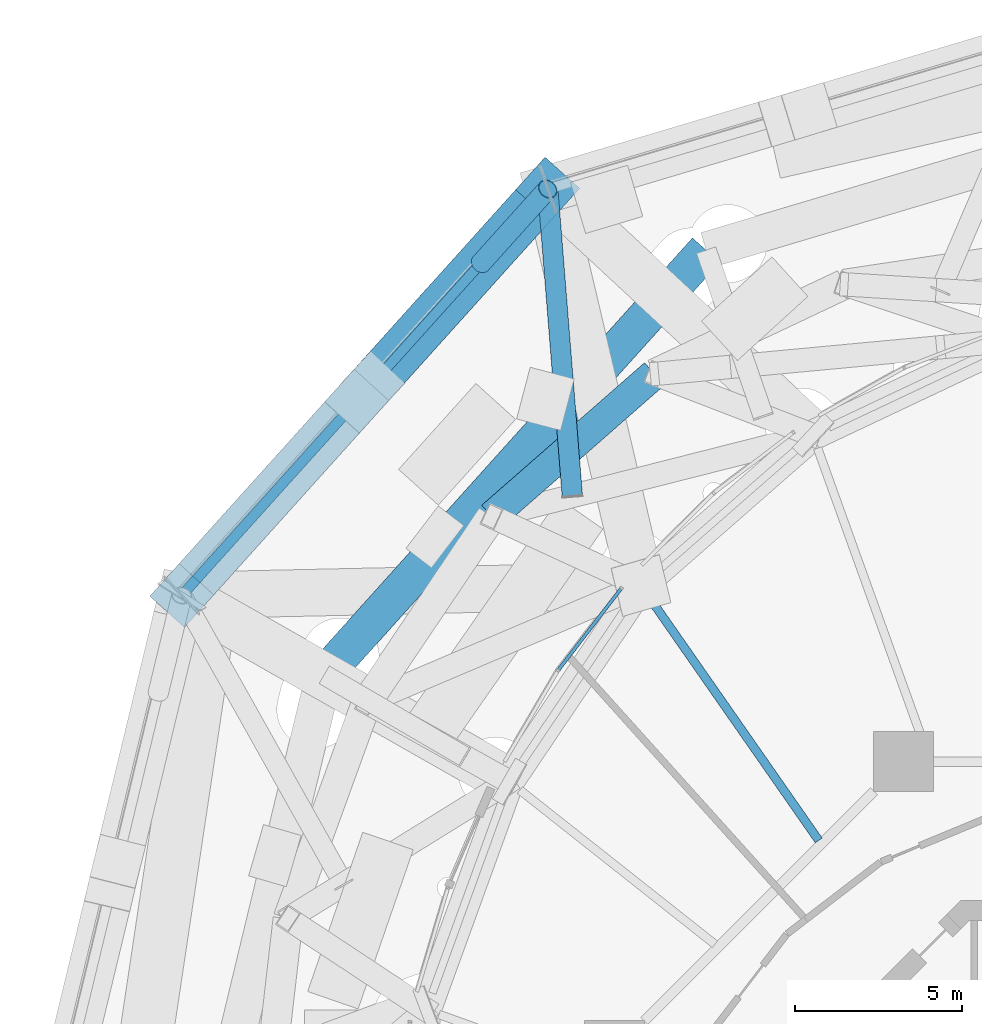
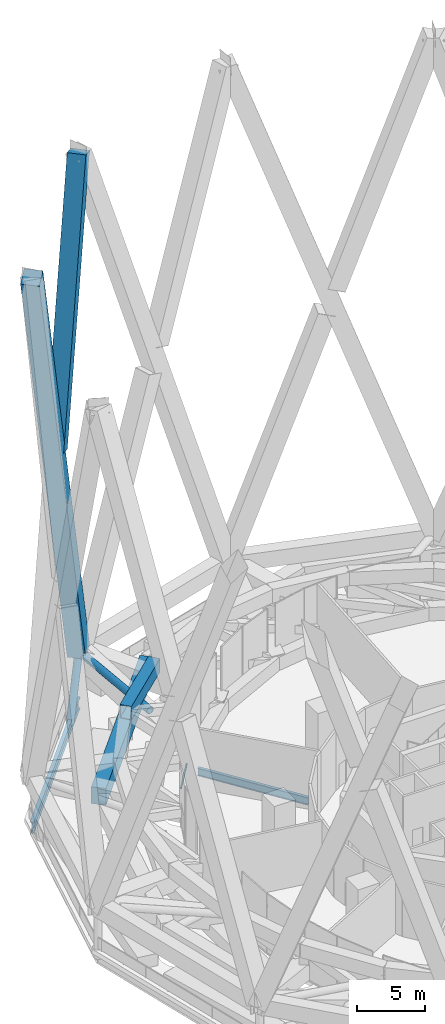
# One storey, part 33 of 60: 6 members, 3 beams, 1 element without a shape of its own.
"""IFC4 building model written with IfcOpenShell, lengths in metres."""

from ifc_helpers import new_model, si_unit, direction, frame, origin, origin_2d, place, context, subcontext, project, spatial, rectangle, hollow_rectangle, hollow_circle, i_section, extrude, material, layer, layer_set, material_profile, profile_set, type_object, element, aggregate, save


model = new_model("IFC4")

# Units and contexts
model_context = context("Model", 3, precision=1e-05, world=origin(), true_north=direction((0.0, 1.0)))
body_context = subcontext(model_context, "Body", "Model", "MODEL_VIEW")
ifc_project = project(units=[si_unit("LENGTHUNIT", "METRE"), si_unit("AREAUNIT", "SQUARE_METRE"), si_unit("VOLUMEUNIT", "CUBIC_METRE"), si_unit("PLANEANGLEUNIT", "RADIAN"), si_unit("MASSUNIT", "GRAM", prefix="KILO")], contexts=[model_context])

# Site, building, storey
site_placement = place(None, origin())
site = spatial("IfcSite", under=ifc_project, at=site_placement, CompositionType="ELEMENT")
building_placement = place(site_placement, origin())
building = spatial("IfcBuilding", under=site, at=building_placement, Name="Nagisa Residences", CompositionType="ELEMENT")
storey_placement = place(building_placement, frame((0.0, 0.0, 206.60009765625)))
storey = spatial("IfcBuildingStorey", under=building, at=storey_placement, Name="L52", CompositionType="ELEMENT", Elevation=206.60009765625)

# Beam
ifc_material_1 = material(Name="Steel ASTM A572 Gr 50", Category="steel")
ifc_material_profile_1 = material_profile(ifc_material_1, hollow_rectangle(XDim=0.89990234375, YDim=1.199951171875, WallThickness=0.044921875, at=origin_2d()), Name="BX 900x1200x45")
ifc_profile_set_1 = profile_set([ifc_material_profile_1], Name="Steel ASTM A572 Gr 50")
beam_type_1 = type_object("IfcBeamType", Name="Belt chord 4 BX 900x1200x45", PredefinedType="BEAM", material=ifc_profile_set_1)
beam_1_placement = place(storey_placement, frame((-13.5849609375, 26.405029296875, 4.739990234375), z_axis=(-0.752439140648, -0.658661779383, 0.0), x_axis=(0.658661779383, -0.752439140648, 0.0)))
element("IfcBeam", 1, at=beam_1_placement, inside=storey, type_object=beam_type_1, Name="beam:L52:bt4t09", PredefinedType="BEAM", context=body_context, shape_type="SweptSolid", body=[
    extrude(hollow_rectangle(XDim=0.89990234375, YDim=1.199951171875, WallThickness=0.044921875, at=origin_2d()), origin(), (0.0, 0.0, 1.0), 6.48779296875),
])

# Curtain wall, member
ifc_material_2 = material(Name="Aluminium curtain wall system", Category="aluminium")
ifc_layer = layer(ifc_material_2, 0.159912109375)
ifc_layer_set = layer_set([ifc_layer], Name="CW5 CURTAIN WALL")
curtain_wall_type = type_object("IfcCurtainWallType", Name="CW5 CURTAIN WALL", PredefinedType="NOTDEFINED", material=ifc_layer_set)
curtain_wall_placement = place(storey_placement, origin())
curtain_wall = element("IfcCurtainWall", 2, at=curtain_wall_placement, inside=storey, type_object=curtain_wall_type, Name="cw:CW5:L52:18", PredefinedType="NOTDEFINED")
ifc_material_3 = material(Name="Aluminium", Category="aluminium")
ifc_material_profile_2 = material_profile(ifc_material_3, rectangle(XDim=0.10009765625, YDim=0.1201171875, at=origin_2d()), Name="CW5 TRANSOM 100x120")
ifc_profile_set_2 = profile_set([ifc_material_profile_2], Name="Aluminium")
member_type_1 = type_object("IfcMemberType", Name="CW5 TRANSOM 100x120", PredefinedType="USERDEFINED", material=ifc_profile_set_2)
member_1_placement = place(storey_placement, frame((-14.55419921875, 20.012451171875, 0.059814453125), z_axis=(-0.610414235322, -0.79208235766, 0.0), x_axis=(0.79208235766, -0.610414235322, 0.0)))
member_1 = element("IfcMember", 3, at=member_1_placement, type_object=member_type_1, Name="CW5 transom", ObjectType="TRANSOM", PredefinedType="USERDEFINED", context=body_context, shape_type="SweptSolid", body=[
    extrude(rectangle(XDim=0.10009765625, YDim=0.1201171875, at=origin_2d()), origin(), (0.0, 0.0, 1.0), 3.13525390625),
])
aggregate(curtain_wall, [member_1])

# Members
ifc_material_4 = material(Name="Concrete C80", Category="concrete")
ifc_material_profile_3 = material_profile(ifc_material_4, rectangle(XDim=1.39990234375, YDim=1.39990234375, at=origin_2d()), Name="C80 1400x1400")
ifc_profile_set_3 = profile_set([ifc_material_profile_3], Name="Concrete C80")
member_type_2 = type_object("IfcMemberType", Name="Cage diagonal 5 C80 1400x1400", PredefinedType="BRACE", material=ifc_profile_set_3)
member_2_placement = place(storey_placement, frame((-16.784912109375, 31.94775390625, 3.699951171875), z_axis=(-0.231315308961, -0.256936929879, 0.938337168562), x_axis=(0.743190478915, -0.669079899601, 0.0)))
element("IfcMember", 4, at=member_2_placement, inside=storey, type_object=member_type_2, Name="mem:L52:cg5d009", PredefinedType="BRACE", context=body_context, shape_type="SweptSolid", body=[
    extrude(rectangle(XDim=1.39990234375, YDim=1.39990234375, at=origin_2d()), origin(), (0.0, 0.0, 1.0), 47.42431640625),
])
member_3_placement = place(storey_placement, frame((-22.02490234375, 26.127197265625, 26.943603515625), z_axis=(0.231313191594, 0.256941611182, 0.938336408671), x_axis=(-0.743199585943, 0.669069783696, 0.0)))
element("IfcMember", 5, at=member_3_placement, inside=storey, type_object=member_type_2, Name="mem:L52:cg5d010b", PredefinedType="BRACE", context=body_context, shape_type="SweptSolid", body=[
    extrude(rectangle(XDim=1.39990234375, YDim=1.39990234375, at=origin_2d()), origin(), (0.0, 0.0, 1.0), 22.6533203125),
])
ifc_material_5 = material(Name="Concrete C80", Category="concrete")
ifc_material_profile_4 = material_profile(ifc_material_5, rectangle(XDim=1.10009765625, YDim=1.5, at=origin_2d()), Name="C80 1100x1500")
ifc_profile_set_4 = profile_set([ifc_material_profile_4], Name="Concrete C80")
member_type_3 = type_object("IfcMemberType", Name="Cage ring 4 C80 1100x1500", PredefinedType="CHORD", material=ifc_profile_set_4)
member_4_placement = place(storey_placement, frame((-12.03759765625, 30.115966796875, 1.89990234375), z_axis=(-0.668693639679, -0.743538039547, 0.0), x_axis=(0.743538039547, -0.668693639679, 0.0)))
element("IfcMember", 6, at=member_4_placement, inside=storey, type_object=member_type_3, Name="beam:L52:cg4r105", PredefinedType="CHORD", context=body_context, shape_type="SweptSolid", body=[
    extrude(rectangle(XDim=1.10009765625, YDim=1.5, at=origin_2d()), origin(), (0.0, 0.0, 1.0), 17.118896484375),
])
ifc_material_6 = material(Name="Steel ASTM A572 Gr 65", Category="steel")
ifc_material_profile_5 = material_profile(ifc_material_6, hollow_circle(Radius=0.304931640625, WallThickness=0.02490234375, at=origin_2d()), Name="CHS 610x25")
ifc_profile_set_5 = profile_set([ifc_material_profile_5], Name="Steel ASTM A572 Gr 65")
member_type_4 = type_object("IfcMemberType", Name="Cage strut CHS 610x25", PredefinedType="STRUT", material=ifc_profile_set_5)
member_5_placement = place(storey_placement, frame((-16.784912109375, 31.94775390625, 3.699951171875), z_axis=(0.079862940503, -0.996805854083, 0.0), x_axis=(0.996805854083, 0.079862940503, 0.0)))
element("IfcMember", 7, at=member_5_placement, inside=storey, type_object=member_type_4, Name="mem:L52:bt4st5b05", PredefinedType="STRUT", context=body_context, shape_type="SweptSolid", body=[
    extrude(hollow_circle(Radius=0.304931640625, WallThickness=0.02490234375, at=origin_2d()), origin(), (0.0, 0.0, 1.0), 9.232177734375),
])

# Beams
ifc_material_7 = material(Name="Steel ASTM A572 Gr 50", Category="steel")
ifc_material_profile_6 = material_profile(ifc_material_7, i_section(OverallWidth=0.300048828125, OverallDepth=0.97998046875, WebThickness=0.0166015625, FlangeThickness=0.02587890625, at=origin_2d()), Name="W1000x249")
ifc_profile_set_6 = profile_set([ifc_material_profile_6], Name="Steel ASTM A572 Gr 50")
beam_type_2 = type_object("IfcBeamType", Name="Deck edge beam W1000x249", PredefinedType="BEAM", material=ifc_profile_set_6)
beam_2_placement = place(storey_placement, frame((-16.784912109375, 31.94775390625, -0.89013671875), z_axis=(-0.669079899601, -0.743190478915, 0.0), x_axis=(0.743190478915, -0.669079899601, 0.0)))
element("IfcBeam", 8, at=beam_2_placement, inside=storey, type_object=beam_type_2, Name="beam:L52:deckedge05", PredefinedType="BEAM", context=body_context, shape_type="SweptSolid", body=[
    extrude(i_section(OverallWidth=0.300048828125, OverallDepth=0.97998046875, WebThickness=0.0166015625, FlangeThickness=0.02587890625, at=origin_2d()), origin(), (0.0, 0.0, 1.0), 16.3955078125),
])
ifc_material_8 = material(Name="Steel ASTM A572 Gr 50", Category="steel")
ifc_material_profile_7 = material_profile(ifc_material_8, i_section(OverallWidth=0.25390625, OverallDepth=0.68408203125, WebThickness=0.012451171875, FlangeThickness=0.018798828125, at=origin_2d()), Name="W690x140")
ifc_profile_set_7 = profile_set([ifc_material_profile_7], Name="Steel ASTM A572 Gr 50")
beam_type_3 = type_object("IfcBeamType", Name="Radial beam W690x140", PredefinedType="BEAM", material=ifc_profile_set_7)
beam_3_placement = place(storey_placement, frame((-13.75048828125, 19.7216796875, -0.692138671875), z_axis=(0.571940381969, -0.820295190449, 0.0), x_axis=(0.820295190449, 0.571940381969, 0.0)))
element("IfcBeam", 9, at=beam_3_placement, inside=storey, type_object=beam_type_3, Name="beam:L52:rb10", PredefinedType="BEAM", context=body_context, shape_type="SweptSolid", body=[
    extrude(i_section(OverallWidth=0.25390625, OverallDepth=0.68408203125, WebThickness=0.012451171875, FlangeThickness=0.018798828125, at=origin_2d()), origin(), (0.0, 0.0, 1.0), 8.8984375),
])

# Member
ifc_material_9 = material(Name="Steel ASTM A572 Gr 65", Category="steel")
ifc_material_profile_8 = material_profile(ifc_material_9, hollow_circle(Radius=0.304931640625, WallThickness=0.02490234375, at=origin_2d()), Name="CHS 610x25")
ifc_profile_set_8 = profile_set([ifc_material_profile_8], Name="Steel ASTM A572 Gr 65")
member_type_5 = type_object("IfcMemberType", Name="Raked deck hanger CHS 610x25", PredefinedType="BRACE", material=ifc_profile_set_8)
member_6_placement = place(storey_placement, frame((-16.784912109375, 31.94775390625, 3.349853515625), z_axis=(-0.386462968928, -0.429283178694, -0.816310189902), x_axis=(0.743201074427, -0.66906813029, 0.0)))
element("IfcMember", 10, at=member_6_placement, inside=storey, type_object=member_type_5, Name="mem:L52:deckhanger04", PredefinedType="BRACE", context=body_context, shape_type="SweptSolid", body=[
    extrude(hollow_circle(Radius=0.304931640625, WallThickness=0.02490234375, at=origin_2d()), origin(), (0.0, 0.0, 1.0), 5.194091796875),
])

save(model, "model.ifc")
